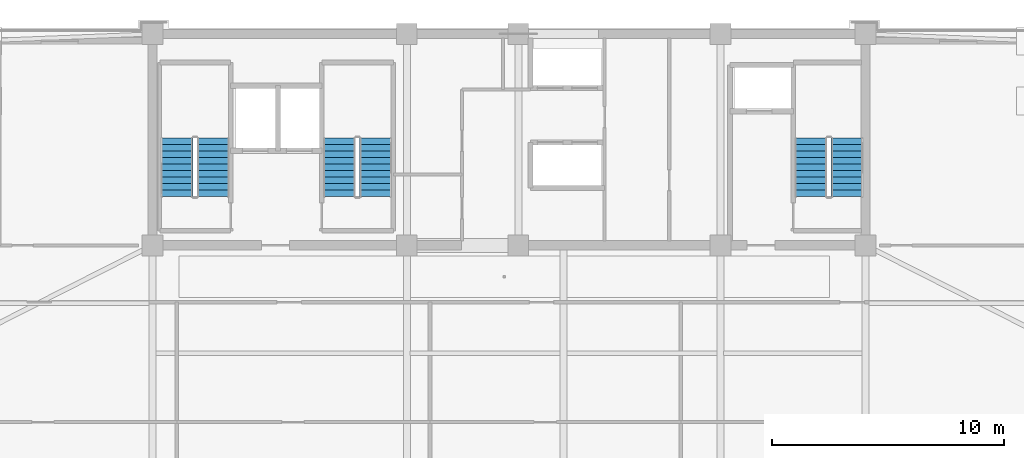
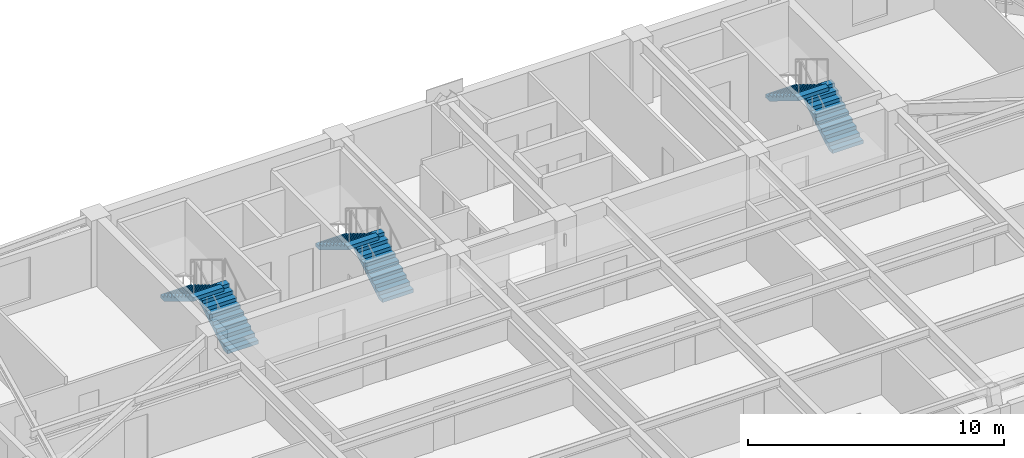
# One storey, part 11 of 15: 6 stair flights, 3 elements without a shape of their own.
"""IFC4 building model written with IfcOpenShell, lengths in metres."""

from ifc_helpers import new_model, si_unit, direction, frame, origin, place, context, subcontext, project, spatial, polyline, outline, extrude, material, type_object, element, aggregate, save


model = new_model("IFC4")

# Units and contexts
model_context = context("Model", 3, precision=1e-05, world=origin(), true_north=direction((0.0, 1.0)))
body_context = subcontext(model_context, "Body", "Model", "MODEL_VIEW")
ifc_project = project(units=[si_unit("LENGTHUNIT", "METRE"), si_unit("AREAUNIT", "SQUARE_METRE"), si_unit("VOLUMEUNIT", "CUBIC_METRE"), si_unit("PLANEANGLEUNIT", "RADIAN"), si_unit("MASSUNIT", "GRAM", prefix="KILO")], contexts=[model_context])

# Site, building, storey
site_placement = place(None, origin())
site = spatial("IfcSite", under=ifc_project, at=site_placement, CompositionType="ELEMENT")
building_placement = place(site_placement, origin())
building = spatial("IfcBuilding", under=site, at=building_placement, Name="Giltprow Tower", CompositionType="ELEMENT")
storey_placement = place(building_placement, frame((0.0, 0.0, 290.39990234375)))
storey = spatial("IfcBuildingStorey", under=building, at=storey_placement, Name="L74", CompositionType="ELEMENT", Elevation=290.39990234375)

# Stair, stair flights
ifc_material = material(Name="Concrete C40", Category="concrete")
stair_type_1 = type_object("IfcStairType", Name="STR-ST-1", PredefinedType="HALF_TURN_STAIR", material=ifc_material)
stair_1_placement = place(storey_placement, origin())
stair_1 = element("IfcStair", 1, at=stair_1_placement, inside=storey, type_object=stair_type_1, Name="L74 Core Exit Stair ST-1", PredefinedType="HALF_TURN_STAIR")
stair_flight_type_1 = type_object("IfcStairFlightType", Name="SFL-ST-1", PredefinedType="STRAIGHT", material=ifc_material)
stair_flight_1_placement = place(storey_placement, frame((22.4599609375, 39.550048828125, 0.0), z_axis=(0.0, 0.0, 1.0), x_axis=(0.0, 1.0, 0.0)))
stair_flight_1 = element("IfcStairFlight", 2, at=stair_flight_1_placement, type_object=stair_flight_type_1, Name="ST-1 flight 1", NumberOfRisers=10, NumberOfTreads=9, PredefinedType="STRAIGHT", RiserHeight=0.17, TreadLength=0.28, context=body_context, shape_type="SweptSolid", body=[
    extrude(outline(polyline([(0.0, 0.0), (0.0, 0.169921875), (0.280029296875, 0.169921875), (0.280029296875, 0.340087890625), (0.56005859375, 0.340087890625), (0.56005859375, 0.510009765625), (0.840087890625, 0.510009765625), (0.840087890625, 0.679931640625), (1.1201171875, 0.679931640625), (1.1201171875, 0.85009765625), (1.39990234375, 0.85009765625), (1.39990234375, 1.02001953125), (1.679931640625, 1.02001953125), (1.679931640625, 1.18994140625), (1.9599609375, 1.18994140625), (1.9599609375, 1.360107421875), (2.239990234375, 1.360107421875), (2.239990234375, 1.530029296875), (2.52001953125, 1.530029296875), (2.52001953125, 1.699951171875), (2.52001953125, 1.354736328125), (0.288818359375, 0.0), (0.0, 0.0)])), frame((0.0, 0.699951171875, 0.0), z_axis=(0.0, -1.0, 0.0), x_axis=(1.0, 0.0, 0.0)), (0.0, 0.0, 1.0), 1.39990234375),
])
stair_flight_2_placement = place(storey_placement, frame((20.89990234375, 42.070068359375, 1.7001953125), z_axis=(0.0, 0.0, 1.0), x_axis=(0.0, -1.0, 0.0)))
stair_flight_2 = element("IfcStairFlight", 3, at=stair_flight_2_placement, type_object=stair_flight_type_1, Name="ST-1 flight 2", NumberOfRisers=10, NumberOfTreads=9, PredefinedType="STRAIGHT", RiserHeight=0.17, TreadLength=0.28, context=body_context, shape_type="SweptSolid", body=[
    extrude(outline(polyline([(0.0, 0.0), (0.0, 0.169921875), (0.280029296875, 0.169921875), (0.280029296875, 0.340087890625), (0.56005859375, 0.340087890625), (0.56005859375, 0.510009765625), (0.840087890625, 0.510009765625), (0.840087890625, 0.679931640625), (1.1201171875, 0.679931640625), (1.1201171875, 0.85009765625), (1.39990234375, 0.85009765625), (1.39990234375, 1.02001953125), (1.679931640625, 1.02001953125), (1.679931640625, 1.18994140625), (1.9599609375, 1.18994140625), (1.9599609375, 1.360107421875), (2.239990234375, 1.360107421875), (2.239990234375, 1.530029296875), (2.52001953125, 1.530029296875), (2.52001953125, 1.699951171875), (2.52001953125, 1.354736328125), (0.288818359375, 0.0), (0.0, 0.0)])), frame((0.0, 0.699951171875, 0.0), z_axis=(0.0, -1.0, 0.0), x_axis=(1.0, 0.0, 0.0)), (0.0, 0.0, 1.0), 1.39990234375),
])
aggregate(stair_1, [stair_flight_1, stair_flight_2])

stair_type_2 = type_object("IfcStairType", Name="STR-ST-2", PredefinedType="HALF_TURN_STAIR", material=ifc_material)
stair_2_placement = place(storey_placement, origin())
stair_2 = element("IfcStair", 4, at=stair_2_placement, inside=storey, type_object=stair_type_2, Name="L74 Core Exit Stair ST-2", PredefinedType="HALF_TURN_STAIR")
stair_flight_type_2 = type_object("IfcStairFlightType", Name="SFL-ST-2", PredefinedType="STRAIGHT", material=ifc_material)
stair_flight_3_placement = place(storey_placement, frame((29.4599609375, 39.550048828125, 0.0), z_axis=(0.0, 0.0, 1.0), x_axis=(0.0, 1.0, 0.0)))
stair_flight_3 = element("IfcStairFlight", 5, at=stair_flight_3_placement, type_object=stair_flight_type_2, Name="ST-2 flight 1", NumberOfRisers=10, NumberOfTreads=9, PredefinedType="STRAIGHT", RiserHeight=0.17, TreadLength=0.28, context=body_context, shape_type="SweptSolid", body=[
    extrude(outline(polyline([(0.0, 0.0), (0.0, 0.169921875), (0.280029296875, 0.169921875), (0.280029296875, 0.340087890625), (0.56005859375, 0.340087890625), (0.56005859375, 0.510009765625), (0.840087890625, 0.510009765625), (0.840087890625, 0.679931640625), (1.1201171875, 0.679931640625), (1.1201171875, 0.85009765625), (1.39990234375, 0.85009765625), (1.39990234375, 1.02001953125), (1.679931640625, 1.02001953125), (1.679931640625, 1.18994140625), (1.9599609375, 1.18994140625), (1.9599609375, 1.360107421875), (2.239990234375, 1.360107421875), (2.239990234375, 1.530029296875), (2.52001953125, 1.530029296875), (2.52001953125, 1.699951171875), (2.52001953125, 1.354736328125), (0.288818359375, 0.0), (0.0, 0.0)])), frame((0.0, 0.699951171875, 0.0), z_axis=(0.0, -1.0, 0.0), x_axis=(1.0, 0.0, 0.0)), (0.0, 0.0, 1.0), 1.39990234375),
])
stair_flight_4_placement = place(storey_placement, frame((27.89990234375, 42.070068359375, 1.7001953125), z_axis=(0.0, 0.0, 1.0), x_axis=(0.0, -1.0, 0.0)))
stair_flight_4 = element("IfcStairFlight", 6, at=stair_flight_4_placement, type_object=stair_flight_type_2, Name="ST-2 flight 2", NumberOfRisers=10, NumberOfTreads=9, PredefinedType="STRAIGHT", RiserHeight=0.17, TreadLength=0.28, context=body_context, shape_type="SweptSolid", body=[
    extrude(outline(polyline([(0.0, 0.0), (0.0, 0.169921875), (0.280029296875, 0.169921875), (0.280029296875, 0.340087890625), (0.56005859375, 0.340087890625), (0.56005859375, 0.510009765625), (0.840087890625, 0.510009765625), (0.840087890625, 0.679931640625), (1.1201171875, 0.679931640625), (1.1201171875, 0.85009765625), (1.39990234375, 0.85009765625), (1.39990234375, 1.02001953125), (1.679931640625, 1.02001953125), (1.679931640625, 1.18994140625), (1.9599609375, 1.18994140625), (1.9599609375, 1.360107421875), (2.239990234375, 1.360107421875), (2.239990234375, 1.530029296875), (2.52001953125, 1.530029296875), (2.52001953125, 1.699951171875), (2.52001953125, 1.354736328125), (0.288818359375, 0.0), (0.0, 0.0)])), frame((0.0, 0.699951171875, 0.0), z_axis=(0.0, -1.0, 0.0), x_axis=(1.0, 0.0, 0.0)), (0.0, 0.0, 1.0), 1.39990234375),
])
aggregate(stair_2, [stair_flight_3, stair_flight_4])

stair_type_3 = type_object("IfcStairType", Name="STR-ST-3", PredefinedType="HALF_TURN_STAIR", material=ifc_material)
stair_3_placement = place(storey_placement, origin())
stair_3 = element("IfcStair", 7, at=stair_3_placement, inside=storey, type_object=stair_type_3, Name="L74 Core Exit Stair ST-3", PredefinedType="HALF_TURN_STAIR")
stair_flight_type_3 = type_object("IfcStairFlightType", Name="SFL-ST-3", PredefinedType="STRAIGHT", material=ifc_material)
stair_flight_5_placement = place(storey_placement, frame((49.760009765625, 39.550048828125, 0.0), z_axis=(0.0, 0.0, 1.0), x_axis=(0.0, 1.0, 0.0)))
stair_flight_5 = element("IfcStairFlight", 8, at=stair_flight_5_placement, type_object=stair_flight_type_3, Name="ST-3 flight 1", NumberOfRisers=10, NumberOfTreads=9, PredefinedType="STRAIGHT", RiserHeight=0.17, TreadLength=0.28, context=body_context, shape_type="SweptSolid", body=[
    extrude(outline(polyline([(0.0, 0.0), (0.0, 0.169921875), (0.280029296875, 0.169921875), (0.280029296875, 0.340087890625), (0.56005859375, 0.340087890625), (0.56005859375, 0.510009765625), (0.840087890625, 0.510009765625), (0.840087890625, 0.679931640625), (1.1201171875, 0.679931640625), (1.1201171875, 0.85009765625), (1.39990234375, 0.85009765625), (1.39990234375, 1.02001953125), (1.679931640625, 1.02001953125), (1.679931640625, 1.18994140625), (1.9599609375, 1.18994140625), (1.9599609375, 1.360107421875), (2.239990234375, 1.360107421875), (2.239990234375, 1.530029296875), (2.52001953125, 1.530029296875), (2.52001953125, 1.699951171875), (2.52001953125, 1.354736328125), (0.288818359375, 0.0), (0.0, 0.0)])), frame((0.0, 0.699951171875, 0.0), z_axis=(0.0, -1.0, 0.0), x_axis=(1.0, 0.0, 0.0)), (0.0, 0.0, 1.0), 1.39990234375),
])
stair_flight_6_placement = place(storey_placement, frame((48.199951171875, 42.070068359375, 1.7001953125), z_axis=(0.0, 0.0, 1.0), x_axis=(0.0, -1.0, 0.0)))
stair_flight_6 = element("IfcStairFlight", 9, at=stair_flight_6_placement, type_object=stair_flight_type_3, Name="ST-3 flight 2", NumberOfRisers=10, NumberOfTreads=9, PredefinedType="STRAIGHT", RiserHeight=0.17, TreadLength=0.28, context=body_context, shape_type="SweptSolid", body=[
    extrude(outline(polyline([(0.0, 0.0), (0.0, 0.169921875), (0.280029296875, 0.169921875), (0.280029296875, 0.340087890625), (0.56005859375, 0.340087890625), (0.56005859375, 0.510009765625), (0.840087890625, 0.510009765625), (0.840087890625, 0.679931640625), (1.1201171875, 0.679931640625), (1.1201171875, 0.85009765625), (1.39990234375, 0.85009765625), (1.39990234375, 1.02001953125), (1.679931640625, 1.02001953125), (1.679931640625, 1.18994140625), (1.9599609375, 1.18994140625), (1.9599609375, 1.360107421875), (2.239990234375, 1.360107421875), (2.239990234375, 1.530029296875), (2.52001953125, 1.530029296875), (2.52001953125, 1.699951171875), (2.52001953125, 1.354736328125), (0.288818359375, 0.0), (0.0, 0.0)])), frame((0.0, 0.699951171875, 0.0), z_axis=(0.0, -1.0, 0.0), x_axis=(1.0, 0.0, 0.0)), (0.0, 0.0, 1.0), 1.39990234375),
])
aggregate(stair_3, [stair_flight_5, stair_flight_6])

save(model, "model.ifc")
